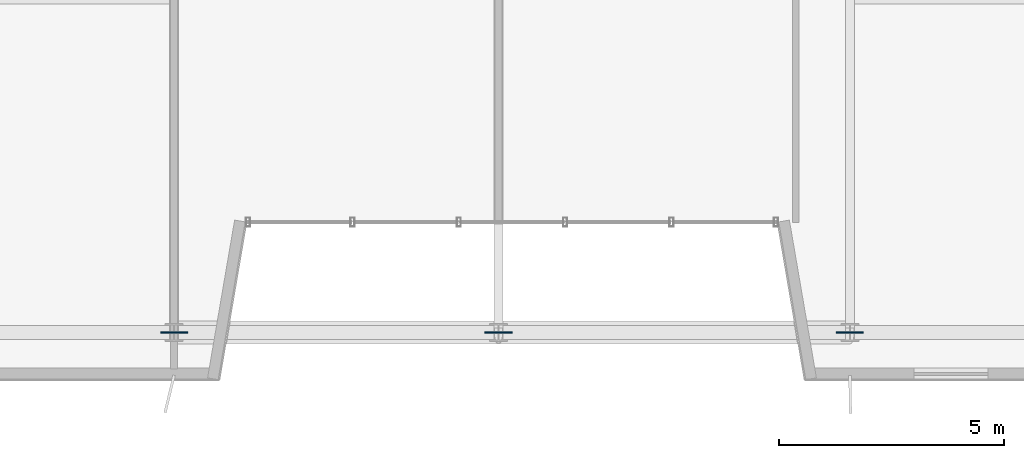
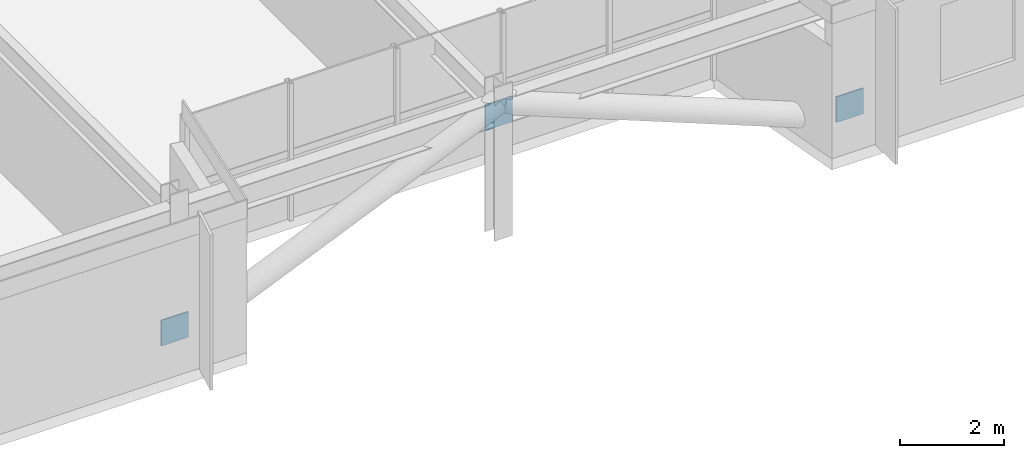
# One storey, part 18 of 26: 3 plates.
"""IFC4 building model written with IfcOpenShell, lengths in metres."""

from ifc_helpers import new_model, si_unit, direction, frame, origin, origin_2d, place, context, subcontext, project, spatial, rectangle, extrude, source, transform, mapped, material, layer, layer_set, type_object, element, save


model = new_model("IFC4")

# Units and contexts
model_context = context("Model", 3, precision=1e-05, world=origin(), true_north=direction((0.0, 1.0)))
body_context = subcontext(model_context, "Body", "Model", "MODEL_VIEW")
ifc_project = project(units=[si_unit("LENGTHUNIT", "METRE"), si_unit("AREAUNIT", "SQUARE_METRE"), si_unit("VOLUMEUNIT", "CUBIC_METRE"), si_unit("PLANEANGLEUNIT", "RADIAN"), si_unit("MASSUNIT", "GRAM", prefix="KILO")], contexts=[model_context])

# Site, building, storey
site_placement = place(None, origin())
site = spatial("IfcSite", under=ifc_project, at=site_placement, CompositionType="ELEMENT")
building_placement = place(site_placement, origin())
building = spatial("IfcBuilding", under=site, at=building_placement, Name="Trelvane Seafront Commons", CompositionType="ELEMENT")
storey_placement = place(building_placement, frame((0.0, 0.0, 128.5)))
storey = spatial("IfcBuildingStorey", under=building, at=storey_placement, Name="L33", CompositionType="ELEMENT", Elevation=128.5)

# Plates
ifc_material = material(Name="Steel SM355 (S355)", Category="steel")
ifc_layer = layer(ifc_material, 0.031982421875, Name="STR-PLT-GUS2")
ifc_layer_set = layer_set([ifc_layer], Name="Steel SM355 (S355)")
plate_type = type_object("IfcPlateType", Name="STR-PLT-GUS2", PredefinedType="SHEET", material=ifc_layer_set)
shared_shape = source(origin(), body_context, "Body", "SweptSolid", [
    extrude(rectangle(XDim=0.60009765625, YDim=0.031982421875, at=origin_2d()), origin(), (0.0, 0.0, 1.0), 0.60009765625),
])
for number, where, z_axis, x_axis, name in (
    (1, (43.800048828125, 3.949951171875, -0.02001953125), (0.0, 0.0, 1.0), (1.0, 0.0, 0.0), "L33 Brace Connection Gusset Plate GP-177"),
    (2, (51.0, 3.949951171875, 2.52001953125), (0.0, 0.0, 1.0), (1.0, 0.0, 0.0), "L33 Brace Connection Gusset Plate GP-178"),
    (3, (58.800048828125, 3.949951171875, -0.02001953125), (0.0, 0.0, 1.0), (1.0, 0.0, 0.0), "L33 Brace Connection Gusset Plate GP-179"),
):
    element("IfcPlate", number, at=place(storey_placement, frame(where, z_axis=z_axis, x_axis=x_axis)), inside=storey, type_object=plate_type, Name=name, PredefinedType="SHEET", context=body_context, shape_type="MappedRepresentation", body=[
        mapped(shared_shape, transform((0.0, 0.0, 0.0), x_axis=(1.0, 0.0, 0.0), y_axis=(0.0, 1.0, 0.0), z_axis=(0.0, 0.0, 1.0), scale=1.0)),
    ])

save(model, "model.ifc")
